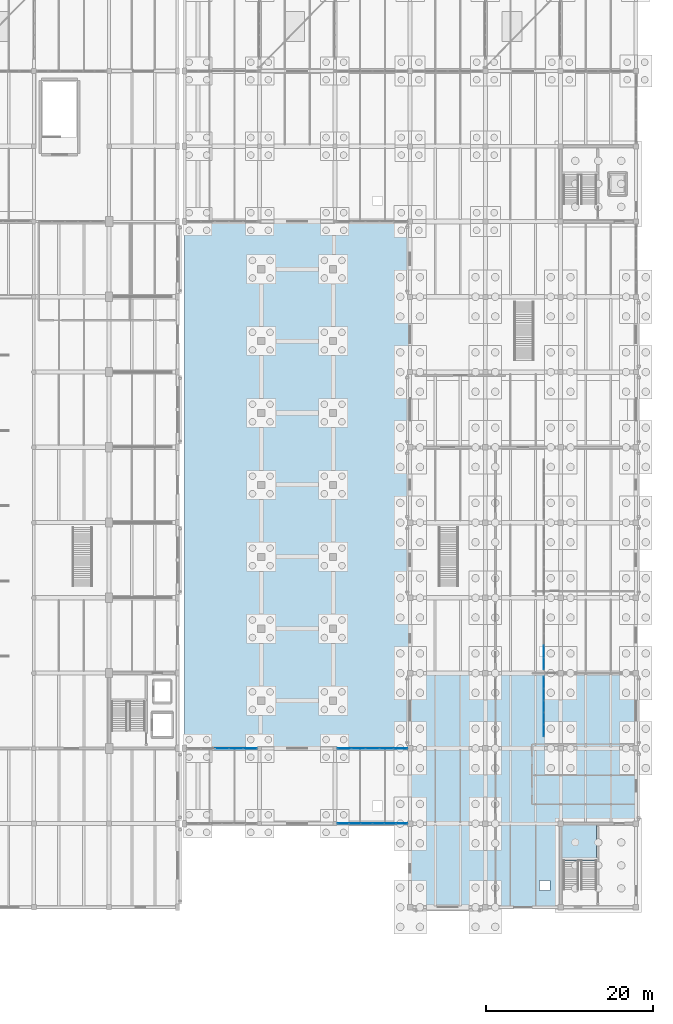
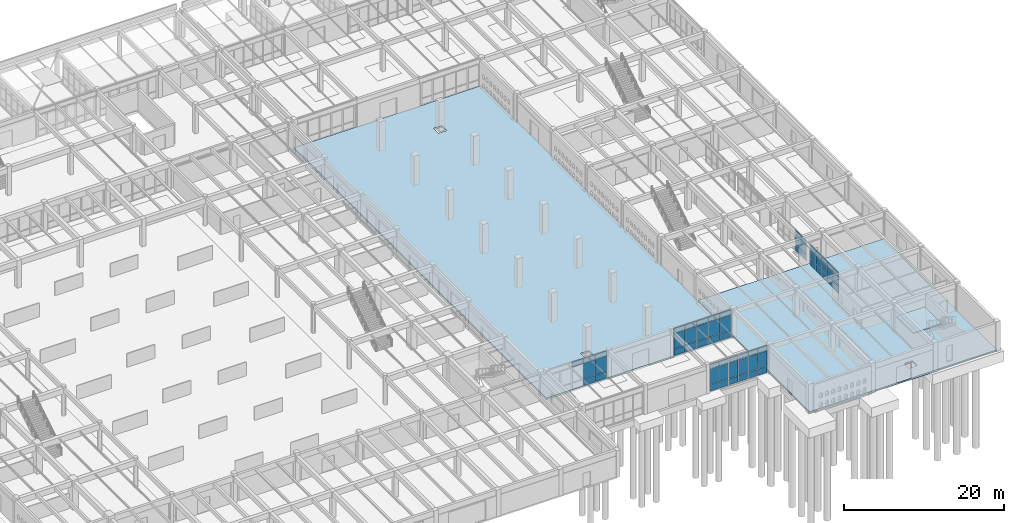
# One storey, part 151 of 186: 61 plates, 3 slabs, 6 elements without a shape of their own.
"""IFC4 building model written with IfcOpenShell, lengths in metres."""

from ifc_helpers import new_model, si_unit, direction, frame, origin, origin_2d, place, context, subcontext, project, spatial, polyline, rectangle, outline, extrude, material, layer, layer_set, type_object, element, aggregate, save


model = new_model("IFC4")

# Units and contexts
model_context = context("Model", 3, precision=1e-05, world=origin(), true_north=direction((0.0, 1.0)))
body_context = subcontext(model_context, "Body", "Model", "MODEL_VIEW")
ifc_project = project(units=[si_unit("LENGTHUNIT", "METRE"), si_unit("AREAUNIT", "SQUARE_METRE"), si_unit("VOLUMEUNIT", "CUBIC_METRE"), si_unit("PLANEANGLEUNIT", "RADIAN"), si_unit("MASSUNIT", "GRAM", prefix="KILO")], contexts=[model_context])

# Site, building, storey
site_placement = place(None, origin())
site = spatial("IfcSite", under=ifc_project, at=site_placement, CompositionType="ELEMENT")
building_placement = place(site_placement, origin())
building = spatial("IfcBuilding", under=site, at=building_placement, Name="Ornek Quay Market", CompositionType="ELEMENT")
storey_placement = place(building_placement, origin())
storey = spatial("IfcBuildingStorey", under=building, at=storey_placement, Name="L00", CompositionType="ELEMENT", Elevation=0.0)

# Curtain wall, plates
ifc_material_1 = material(Name="Anodised bronze aluminium and triple low-e glass", Category="aluminium")
ifc_layer_1 = layer(ifc_material_1, 0.139892578125, Name="Anodised bronze aluminium and triple low-e glass", Category="aluminium")
ifc_layer_set_1 = layer_set([ifc_layer_1], Name="Anodised bronze aluminium and triple low-e glass")
curtain_wall_type_1 = type_object("IfcCurtainWallType", Name="CW-GALLERY-INT", PredefinedType="USERDEFINED", material=ifc_layer_set_1)
curtain_wall_1_placement = place(storey_placement, origin())
curtain_wall_1 = element("IfcCurtainWall", 1, at=curtain_wall_1_placement, inside=storey, type_object=curtain_wall_type_1, Name="Curtain wall CW-159", ObjectType="CURTAIN WALL", PredefinedType="USERDEFINED")
ifc_material_2 = material(Name="Toughened laminated acoustic glass", Category="glass")
ifc_layer_2 = layer(ifc_material_2, 0.01611328125, Name="Toughened laminated acoustic glass", Category="glass")
ifc_layer_set_2 = layer_set([ifc_layer_2], Name="Toughened laminated acoustic glass")
plate_type_1 = type_object("IfcPlateType", Name="PL-CW-INT-16", PredefinedType="CURTAIN_PANEL", material=ifc_layer_set_2)
plate_1_placement = place(storey_placement, frame((169.0, 31.135009765625, 0.06005859375), z_axis=(0.0, 0.0, 1.0), x_axis=(0.0, 1.0, 0.0)))
plate_1 = element("IfcPlate", 2, at=plate_1_placement, type_object=plate_type_1, Name="CW-159 panel 1.1", PredefinedType="CURTAIN_PANEL", context=body_context, shape_type="SweptSolid", body=[
    extrude(rectangle(XDim=1.35009765625, YDim=0.01611328125, at=origin_2d()), origin(), (0.0, 0.0, 1.0), 0.9599609375),
])
plate_2_placement = place(storey_placement, frame((169.0, 31.135009765625, 1.080078125), z_axis=(0.0, 0.0, 1.0), x_axis=(0.0, 1.0, 0.0)))
plate_2 = element("IfcPlate", 3, at=plate_2_placement, type_object=plate_type_1, Name="CW-159 panel 1.2", PredefinedType="CURTAIN_PANEL", context=body_context, shape_type="SweptSolid", body=[
    extrude(rectangle(XDim=1.35009765625, YDim=0.01611328125, at=origin_2d()), origin(), (0.0, 0.0, 1.0), 1.340087890625),
])
plate_3_placement = place(storey_placement, frame((169.0, 31.135009765625, 2.47998046875), z_axis=(0.0, 0.0, 1.0), x_axis=(0.0, 1.0, 0.0)))
plate_3 = element("IfcPlate", 4, at=plate_3_placement, type_object=plate_type_1, Name="CW-159 panel 1.3", PredefinedType="CURTAIN_PANEL", context=body_context, shape_type="SweptSolid", body=[
    extrude(rectangle(XDim=1.35009765625, YDim=0.01611328125, at=origin_2d()), origin(), (0.0, 0.0, 1.0), 0.760009765625),
])
plate_4_placement = place(storey_placement, frame((169.0, 32.56005859375, 0.06005859375), z_axis=(0.0, 0.0, 1.0), x_axis=(0.0, 1.0, 0.0)))
plate_4 = element("IfcPlate", 5, at=plate_4_placement, type_object=plate_type_1, Name="CW-159 panel 2.1", PredefinedType="CURTAIN_PANEL", context=body_context, shape_type="SweptSolid", body=[
    extrude(rectangle(XDim=1.3798828125, YDim=0.01611328125, at=origin_2d()), origin(), (0.0, 0.0, 1.0), 0.9599609375),
])
plate_5_placement = place(storey_placement, frame((169.0, 32.56005859375, 1.080078125), z_axis=(0.0, 0.0, 1.0), x_axis=(0.0, 1.0, 0.0)))
plate_5 = element("IfcPlate", 6, at=plate_5_placement, type_object=plate_type_1, Name="CW-159 panel 2.2", PredefinedType="CURTAIN_PANEL", context=body_context, shape_type="SweptSolid", body=[
    extrude(rectangle(XDim=1.3798828125, YDim=0.01611328125, at=origin_2d()), origin(), (0.0, 0.0, 1.0), 1.340087890625),
])
plate_6_placement = place(storey_placement, frame((169.0, 32.56005859375, 2.47998046875), z_axis=(0.0, 0.0, 1.0), x_axis=(0.0, 1.0, 0.0)))
plate_6 = element("IfcPlate", 7, at=plate_6_placement, type_object=plate_type_1, Name="CW-159 panel 2.3", PredefinedType="CURTAIN_PANEL", context=body_context, shape_type="SweptSolid", body=[
    extrude(rectangle(XDim=1.3798828125, YDim=0.01611328125, at=origin_2d()), origin(), (0.0, 0.0, 1.0), 0.760009765625),
])
plate_7_placement = place(storey_placement, frame((169.0, 34.0, 0.06005859375), z_axis=(0.0, 0.0, 1.0), x_axis=(0.0, 1.0, 0.0)))
plate_7 = element("IfcPlate", 8, at=plate_7_placement, type_object=plate_type_1, Name="CW-159 panel 3.1", PredefinedType="CURTAIN_PANEL", context=body_context, shape_type="SweptSolid", body=[
    extrude(rectangle(XDim=1.3798828125, YDim=0.01611328125, at=origin_2d()), origin(), (0.0, 0.0, 1.0), 0.9599609375),
])
plate_8_placement = place(storey_placement, frame((169.0, 34.0, 1.080078125), z_axis=(0.0, 0.0, 1.0), x_axis=(0.0, 1.0, 0.0)))
plate_8 = element("IfcPlate", 9, at=plate_8_placement, type_object=plate_type_1, Name="CW-159 panel 3.2", PredefinedType="CURTAIN_PANEL", context=body_context, shape_type="SweptSolid", body=[
    extrude(rectangle(XDim=1.3798828125, YDim=0.01611328125, at=origin_2d()), origin(), (0.0, 0.0, 1.0), 1.340087890625),
])
plate_9_placement = place(storey_placement, frame((169.0, 34.0, 2.47998046875), z_axis=(0.0, 0.0, 1.0), x_axis=(0.0, 1.0, 0.0)))
plate_9 = element("IfcPlate", 10, at=plate_9_placement, type_object=plate_type_1, Name="CW-159 panel 3.3", PredefinedType="CURTAIN_PANEL", context=body_context, shape_type="SweptSolid", body=[
    extrude(rectangle(XDim=1.3798828125, YDim=0.01611328125, at=origin_2d()), origin(), (0.0, 0.0, 1.0), 0.760009765625),
])
plate_10_placement = place(storey_placement, frame((169.0, 35.43994140625, 0.06005859375), z_axis=(0.0, 0.0, 1.0), x_axis=(0.0, 1.0, 0.0)))
plate_10 = element("IfcPlate", 11, at=plate_10_placement, type_object=plate_type_1, Name="CW-159 panel 4.1", PredefinedType="CURTAIN_PANEL", context=body_context, shape_type="SweptSolid", body=[
    extrude(rectangle(XDim=1.3798828125, YDim=0.01611328125, at=origin_2d()), origin(), (0.0, 0.0, 1.0), 0.9599609375),
])
plate_11_placement = place(storey_placement, frame((169.0, 35.43994140625, 1.080078125), z_axis=(0.0, 0.0, 1.0), x_axis=(0.0, 1.0, 0.0)))
plate_11 = element("IfcPlate", 12, at=plate_11_placement, type_object=plate_type_1, Name="CW-159 panel 4.2", PredefinedType="CURTAIN_PANEL", context=body_context, shape_type="SweptSolid", body=[
    extrude(rectangle(XDim=1.3798828125, YDim=0.01611328125, at=origin_2d()), origin(), (0.0, 0.0, 1.0), 1.340087890625),
])
plate_12_placement = place(storey_placement, frame((169.0, 35.43994140625, 2.47998046875), z_axis=(0.0, 0.0, 1.0), x_axis=(0.0, 1.0, 0.0)))
plate_12 = element("IfcPlate", 13, at=plate_12_placement, type_object=plate_type_1, Name="CW-159 panel 4.3", PredefinedType="CURTAIN_PANEL", context=body_context, shape_type="SweptSolid", body=[
    extrude(rectangle(XDim=1.3798828125, YDim=0.01611328125, at=origin_2d()), origin(), (0.0, 0.0, 1.0), 0.760009765625),
])
plate_13_placement = place(storey_placement, frame((169.0, 36.864990234375, 0.06005859375), z_axis=(0.0, 0.0, 1.0), x_axis=(0.0, 1.0, 0.0)))
plate_13 = element("IfcPlate", 14, at=plate_13_placement, type_object=plate_type_1, Name="CW-159 panel 5.1", PredefinedType="CURTAIN_PANEL", context=body_context, shape_type="SweptSolid", body=[
    extrude(rectangle(XDim=1.35009765625, YDim=0.01611328125, at=origin_2d()), origin(), (0.0, 0.0, 1.0), 0.9599609375),
])
plate_14_placement = place(storey_placement, frame((169.0, 36.864990234375, 1.080078125), z_axis=(0.0, 0.0, 1.0), x_axis=(0.0, 1.0, 0.0)))
plate_14 = element("IfcPlate", 15, at=plate_14_placement, type_object=plate_type_1, Name="CW-159 panel 5.2", PredefinedType="CURTAIN_PANEL", context=body_context, shape_type="SweptSolid", body=[
    extrude(rectangle(XDim=1.35009765625, YDim=0.01611328125, at=origin_2d()), origin(), (0.0, 0.0, 1.0), 1.340087890625),
])
plate_15_placement = place(storey_placement, frame((169.0, 36.864990234375, 2.47998046875), z_axis=(0.0, 0.0, 1.0), x_axis=(0.0, 1.0, 0.0)))
plate_15 = element("IfcPlate", 16, at=plate_15_placement, type_object=plate_type_1, Name="CW-159 panel 5.3", PredefinedType="CURTAIN_PANEL", context=body_context, shape_type="SweptSolid", body=[
    extrude(rectangle(XDim=1.35009765625, YDim=0.01611328125, at=origin_2d()), origin(), (0.0, 0.0, 1.0), 0.760009765625),
])
aggregate(curtain_wall_1, [plate_1, plate_2, plate_3, plate_4, plate_5, plate_6, plate_7, plate_8, plate_9, plate_10, plate_11, plate_12, plate_13, plate_14, plate_15])

curtain_wall_2_placement = place(storey_placement, origin())
curtain_wall_2 = element("IfcCurtainWall", 17, at=curtain_wall_2_placement, inside=storey, type_object=curtain_wall_type_1, Name="Curtain wall CW-160", ObjectType="CURTAIN WALL", PredefinedType="USERDEFINED")
plate_16_placement = place(storey_placement, frame((169.0, 39.135009765625, 0.06005859375), z_axis=(0.0, 0.0, 1.0), x_axis=(0.0, 1.0, 0.0)))
plate_16 = element("IfcPlate", 18, at=plate_16_placement, type_object=plate_type_1, Name="CW-160 panel 1.1", PredefinedType="CURTAIN_PANEL", context=body_context, shape_type="SweptSolid", body=[
    extrude(rectangle(XDim=1.35009765625, YDim=0.01611328125, at=origin_2d()), origin(), (0.0, 0.0, 1.0), 0.9599609375),
])
plate_17_placement = place(storey_placement, frame((169.0, 39.135009765625, 1.080078125), z_axis=(0.0, 0.0, 1.0), x_axis=(0.0, 1.0, 0.0)))
plate_17 = element("IfcPlate", 19, at=plate_17_placement, type_object=plate_type_1, Name="CW-160 panel 1.2", PredefinedType="CURTAIN_PANEL", context=body_context, shape_type="SweptSolid", body=[
    extrude(rectangle(XDim=1.35009765625, YDim=0.01611328125, at=origin_2d()), origin(), (0.0, 0.0, 1.0), 1.340087890625),
])
plate_18_placement = place(storey_placement, frame((169.0, 39.135009765625, 2.47998046875), z_axis=(0.0, 0.0, 1.0), x_axis=(0.0, 1.0, 0.0)))
plate_18 = element("IfcPlate", 20, at=plate_18_placement, type_object=plate_type_1, Name="CW-160 panel 1.3", PredefinedType="CURTAIN_PANEL", context=body_context, shape_type="SweptSolid", body=[
    extrude(rectangle(XDim=1.35009765625, YDim=0.01611328125, at=origin_2d()), origin(), (0.0, 0.0, 1.0), 0.760009765625),
])
plate_19_placement = place(storey_placement, frame((169.0, 40.56005859375, 0.06005859375), z_axis=(0.0, 0.0, 1.0), x_axis=(0.0, 1.0, 0.0)))
plate_19 = element("IfcPlate", 21, at=plate_19_placement, type_object=plate_type_1, Name="CW-160 panel 2.1", PredefinedType="CURTAIN_PANEL", context=body_context, shape_type="SweptSolid", body=[
    extrude(rectangle(XDim=1.3798828125, YDim=0.01611328125, at=origin_2d()), origin(), (0.0, 0.0, 1.0), 0.9599609375),
])
plate_20_placement = place(storey_placement, frame((169.0, 40.56005859375, 1.080078125), z_axis=(0.0, 0.0, 1.0), x_axis=(0.0, 1.0, 0.0)))
plate_20 = element("IfcPlate", 22, at=plate_20_placement, type_object=plate_type_1, Name="CW-160 panel 2.2", PredefinedType="CURTAIN_PANEL", context=body_context, shape_type="SweptSolid", body=[
    extrude(rectangle(XDim=1.3798828125, YDim=0.01611328125, at=origin_2d()), origin(), (0.0, 0.0, 1.0), 1.340087890625),
])
plate_21_placement = place(storey_placement, frame((169.0, 40.56005859375, 2.47998046875), z_axis=(0.0, 0.0, 1.0), x_axis=(0.0, 1.0, 0.0)))
plate_21 = element("IfcPlate", 23, at=plate_21_placement, type_object=plate_type_1, Name="CW-160 panel 2.3", PredefinedType="CURTAIN_PANEL", context=body_context, shape_type="SweptSolid", body=[
    extrude(rectangle(XDim=1.3798828125, YDim=0.01611328125, at=origin_2d()), origin(), (0.0, 0.0, 1.0), 0.760009765625),
])
aggregate(curtain_wall_2, [plate_16, plate_17, plate_18, plate_19, plate_20, plate_21])

ifc_layer_3 = layer(ifc_material_1, 0.179931640625, Name="Anodised bronze aluminium and triple low-e glass", Category="aluminium")
ifc_layer_set_3 = layer_set([ifc_layer_3], Name="Anodised bronze aluminium and triple low-e glass")
curtain_wall_type_2 = type_object("IfcCurtainWallType", Name="CW-CONC-MOD1500", PredefinedType="USERDEFINED", material=ifc_layer_set_3)
curtain_wall_3_placement = place(storey_placement, origin())
curtain_wall_3 = element("IfcCurtainWall", 24, at=curtain_wall_3_placement, inside=storey, type_object=curtain_wall_type_2, Name="Curtain wall CW-032", ObjectType="CURTAIN WALL", PredefinedType="USERDEFINED")
ifc_material_3 = material(Name="Triple insulated low-e glass", Category="glass")
ifc_layer_4 = layer(ifc_material_3, 0.035888671875, Name="Triple insulated low-e glass", Category="glass")
ifc_layer_set_4 = layer_set([ifc_layer_4], Name="Triple insulated low-e glass")
plate_type_2 = type_object("IfcPlateType", Name="PL-CW-TRIPLE-36", PredefinedType="CURTAIN_PANEL", material=ifc_layer_set_4)
plate_22_placement = place(storey_placement, frame((145.014892578125, 20.0, 0.06005859375), z_axis=(0.0, 0.0, 1.0), x_axis=(1.0, 0.0, 0.0)))
plate_22 = element("IfcPlate", 25, at=plate_22_placement, type_object=plate_type_2, Name="CW-032 panel 1.1", PredefinedType="CURTAIN_PANEL", context=body_context, shape_type="SweptSolid", body=[
    extrude(rectangle(XDim=1.31005859375, YDim=0.035888671875, at=origin_2d()), origin(), (0.0, 0.0, 1.0), 0.9599609375),
])
plate_23_placement = place(storey_placement, frame((145.014892578125, 20.0, 1.080078125), z_axis=(0.0, 0.0, 1.0), x_axis=(1.0, 0.0, 0.0)))
plate_23 = element("IfcPlate", 26, at=plate_23_placement, type_object=plate_type_2, Name="CW-032 panel 1.2", PredefinedType="CURTAIN_PANEL", context=body_context, shape_type="SweptSolid", body=[
    extrude(rectangle(XDim=1.31005859375, YDim=0.035888671875, at=origin_2d()), origin(), (0.0, 0.0, 1.0), 2.31005859375),
])
plate_24_placement = place(storey_placement, frame((145.014892578125, 20.0, 3.4501953125), z_axis=(0.0, 0.0, 1.0), x_axis=(1.0, 0.0, 0.0)))
plate_24 = element("IfcPlate", 27, at=plate_24_placement, type_object=plate_type_2, Name="CW-032 panel 1.3", PredefinedType="CURTAIN_PANEL", context=body_context, shape_type="SweptSolid", body=[
    extrude(rectangle(XDim=1.31005859375, YDim=0.035888671875, at=origin_2d()), origin(), (0.0, 0.0, 1.0), 0.760009765625),
])
plate_25_placement = place(storey_placement, frame((146.39990234375, 20.0, 0.06005859375), z_axis=(0.0, 0.0, 1.0), x_axis=(1.0, 0.0, 0.0)))
plate_25 = element("IfcPlate", 28, at=plate_25_placement, type_object=plate_type_2, Name="CW-032 panel 2.1", PredefinedType="CURTAIN_PANEL", context=body_context, shape_type="SweptSolid", body=[
    extrude(rectangle(XDim=1.340087890625, YDim=0.035888671875, at=origin_2d()), origin(), (0.0, 0.0, 1.0), 0.9599609375),
])
plate_26_placement = place(storey_placement, frame((146.39990234375, 20.0, 1.080078125), z_axis=(0.0, 0.0, 1.0), x_axis=(1.0, 0.0, 0.0)))
plate_26 = element("IfcPlate", 29, at=plate_26_placement, type_object=plate_type_2, Name="CW-032 panel 2.2", PredefinedType="CURTAIN_PANEL", context=body_context, shape_type="SweptSolid", body=[
    extrude(rectangle(XDim=1.340087890625, YDim=0.035888671875, at=origin_2d()), origin(), (0.0, 0.0, 1.0), 2.31005859375),
])
plate_27_placement = place(storey_placement, frame((146.39990234375, 20.0, 3.4501953125), z_axis=(0.0, 0.0, 1.0), x_axis=(1.0, 0.0, 0.0)))
plate_27 = element("IfcPlate", 30, at=plate_27_placement, type_object=plate_type_2, Name="CW-032 panel 2.3", PredefinedType="CURTAIN_PANEL", context=body_context, shape_type="SweptSolid", body=[
    extrude(rectangle(XDim=1.340087890625, YDim=0.035888671875, at=origin_2d()), origin(), (0.0, 0.0, 1.0), 0.760009765625),
])
plate_28_placement = place(storey_placement, frame((147.800048828125, 20.0, 0.06005859375), z_axis=(0.0, 0.0, 1.0), x_axis=(1.0, 0.0, 0.0)))
plate_28 = element("IfcPlate", 31, at=plate_28_placement, type_object=plate_type_2, Name="CW-032 panel 3.1", PredefinedType="CURTAIN_PANEL", context=body_context, shape_type="SweptSolid", body=[
    extrude(rectangle(XDim=1.340087890625, YDim=0.035888671875, at=origin_2d()), origin(), (0.0, 0.0, 1.0), 0.9599609375),
])
plate_29_placement = place(storey_placement, frame((147.800048828125, 20.0, 1.080078125), z_axis=(0.0, 0.0, 1.0), x_axis=(1.0, 0.0, 0.0)))
plate_29 = element("IfcPlate", 32, at=plate_29_placement, type_object=plate_type_2, Name="CW-032 panel 3.2", PredefinedType="CURTAIN_PANEL", context=body_context, shape_type="SweptSolid", body=[
    extrude(rectangle(XDim=1.340087890625, YDim=0.035888671875, at=origin_2d()), origin(), (0.0, 0.0, 1.0), 2.31005859375),
])
plate_30_placement = place(storey_placement, frame((147.800048828125, 20.0, 3.4501953125), z_axis=(0.0, 0.0, 1.0), x_axis=(1.0, 0.0, 0.0)))
plate_30 = element("IfcPlate", 33, at=plate_30_placement, type_object=plate_type_2, Name="CW-032 panel 3.3", PredefinedType="CURTAIN_PANEL", context=body_context, shape_type="SweptSolid", body=[
    extrude(rectangle(XDim=1.340087890625, YDim=0.035888671875, at=origin_2d()), origin(), (0.0, 0.0, 1.0), 0.760009765625),
])
plate_31_placement = place(storey_placement, frame((149.199951171875, 20.0, 0.06005859375), z_axis=(0.0, 0.0, 1.0), x_axis=(1.0, 0.0, 0.0)))
plate_31 = element("IfcPlate", 34, at=plate_31_placement, type_object=plate_type_2, Name="CW-032 panel 4.1", PredefinedType="CURTAIN_PANEL", context=body_context, shape_type="SweptSolid", body=[
    extrude(rectangle(XDim=1.340087890625, YDim=0.035888671875, at=origin_2d()), origin(), (0.0, 0.0, 1.0), 0.9599609375),
])
plate_32_placement = place(storey_placement, frame((149.199951171875, 20.0, 1.080078125), z_axis=(0.0, 0.0, 1.0), x_axis=(1.0, 0.0, 0.0)))
plate_32 = element("IfcPlate", 35, at=plate_32_placement, type_object=plate_type_2, Name="CW-032 panel 4.2", PredefinedType="CURTAIN_PANEL", context=body_context, shape_type="SweptSolid", body=[
    extrude(rectangle(XDim=1.340087890625, YDim=0.035888671875, at=origin_2d()), origin(), (0.0, 0.0, 1.0), 2.31005859375),
])
plate_33_placement = place(storey_placement, frame((149.199951171875, 20.0, 3.4501953125), z_axis=(0.0, 0.0, 1.0), x_axis=(1.0, 0.0, 0.0)))
plate_33 = element("IfcPlate", 36, at=plate_33_placement, type_object=plate_type_2, Name="CW-032 panel 4.3", PredefinedType="CURTAIN_PANEL", context=body_context, shape_type="SweptSolid", body=[
    extrude(rectangle(XDim=1.340087890625, YDim=0.035888671875, at=origin_2d()), origin(), (0.0, 0.0, 1.0), 0.760009765625),
])
plate_34_placement = place(storey_placement, frame((150.60009765625, 20.0, 0.06005859375), z_axis=(0.0, 0.0, 1.0), x_axis=(1.0, 0.0, 0.0)))
plate_34 = element("IfcPlate", 37, at=plate_34_placement, type_object=plate_type_2, Name="CW-032 panel 5.1", PredefinedType="CURTAIN_PANEL", context=body_context, shape_type="SweptSolid", body=[
    extrude(rectangle(XDim=1.340087890625, YDim=0.035888671875, at=origin_2d()), origin(), (0.0, 0.0, 1.0), 0.9599609375),
])
plate_35_placement = place(storey_placement, frame((150.60009765625, 20.0, 1.080078125), z_axis=(0.0, 0.0, 1.0), x_axis=(1.0, 0.0, 0.0)))
plate_35 = element("IfcPlate", 38, at=plate_35_placement, type_object=plate_type_2, Name="CW-032 panel 5.2", PredefinedType="CURTAIN_PANEL", context=body_context, shape_type="SweptSolid", body=[
    extrude(rectangle(XDim=1.340087890625, YDim=0.035888671875, at=origin_2d()), origin(), (0.0, 0.0, 1.0), 2.31005859375),
])
plate_36_placement = place(storey_placement, frame((150.60009765625, 20.0, 3.4501953125), z_axis=(0.0, 0.0, 1.0), x_axis=(1.0, 0.0, 0.0)))
plate_36 = element("IfcPlate", 39, at=plate_36_placement, type_object=plate_type_2, Name="CW-032 panel 5.3", PredefinedType="CURTAIN_PANEL", context=body_context, shape_type="SweptSolid", body=[
    extrude(rectangle(XDim=1.340087890625, YDim=0.035888671875, at=origin_2d()), origin(), (0.0, 0.0, 1.0), 0.760009765625),
])
plate_37_placement = place(storey_placement, frame((151.985107421875, 20.0, 0.06005859375), z_axis=(0.0, 0.0, 1.0), x_axis=(1.0, 0.0, 0.0)))
plate_37 = element("IfcPlate", 40, at=plate_37_placement, type_object=plate_type_2, Name="CW-032 panel 6.1", PredefinedType="CURTAIN_PANEL", context=body_context, shape_type="SweptSolid", body=[
    extrude(rectangle(XDim=1.31005859375, YDim=0.035888671875, at=origin_2d()), origin(), (0.0, 0.0, 1.0), 0.9599609375),
])
plate_38_placement = place(storey_placement, frame((151.985107421875, 20.0, 1.080078125), z_axis=(0.0, 0.0, 1.0), x_axis=(1.0, 0.0, 0.0)))
plate_38 = element("IfcPlate", 41, at=plate_38_placement, type_object=plate_type_2, Name="CW-032 panel 6.2", PredefinedType="CURTAIN_PANEL", context=body_context, shape_type="SweptSolid", body=[
    extrude(rectangle(XDim=1.31005859375, YDim=0.035888671875, at=origin_2d()), origin(), (0.0, 0.0, 1.0), 2.31005859375),
])
plate_39_placement = place(storey_placement, frame((151.985107421875, 20.0, 3.4501953125), z_axis=(0.0, 0.0, 1.0), x_axis=(1.0, 0.0, 0.0)))
plate_39 = element("IfcPlate", 42, at=plate_39_placement, type_object=plate_type_2, Name="CW-032 panel 6.3", PredefinedType="CURTAIN_PANEL", context=body_context, shape_type="SweptSolid", body=[
    extrude(rectangle(XDim=1.31005859375, YDim=0.035888671875, at=origin_2d()), origin(), (0.0, 0.0, 1.0), 0.760009765625),
])
aggregate(curtain_wall_3, [plate_22, plate_23, plate_24, plate_25, plate_26, plate_27, plate_28, plate_29, plate_30, plate_31, plate_32, plate_33, plate_34, plate_35, plate_36, plate_37, plate_38, plate_39])

ifc_layer_5 = layer(ifc_material_1, 0.199951171875, Name="Anodised bronze aluminium and triple low-e glass", Category="aluminium")
ifc_layer_set_5 = layer_set([ifc_layer_5], Name="Anodised bronze aluminium and triple low-e glass")
curtain_wall_type_3 = type_object("IfcCurtainWallType", Name="CW-CONC-MOD1800", PredefinedType="USERDEFINED", material=ifc_layer_set_5)
curtain_wall_4_placement = place(storey_placement, origin())
curtain_wall_4 = element("IfcCurtainWall", 43, at=curtain_wall_4_placement, inside=storey, type_object=curtain_wall_type_3, Name="Curtain wall CW-027", ObjectType="CURTAIN WALL", PredefinedType="USERDEFINED")
ifc_layer_6 = layer(ifc_material_3, 0.0419921875, Name="Triple insulated low-e glass", Category="glass")
ifc_layer_set_6 = layer_set([ifc_layer_6], Name="Triple insulated low-e glass")
plate_type_3 = type_object("IfcPlateType", Name="PL-CW-TRIPLE-42", PredefinedType="CURTAIN_PANEL", material=ifc_layer_set_6)
plate_40_placement = place(storey_placement, frame((130.5, 29.0, 3.45263671875), z_axis=(0.0, 0.0, 1.0), x_axis=(1.0, 0.0, 0.0)))
plate_40 = element("IfcPlate", 44, at=plate_40_placement, type_object=plate_type_3, Name="CW-027 panel 3.3", PredefinedType="CURTAIN_PANEL", context=body_context, shape_type="SweptSolid", body=[
    extrude(rectangle(XDim=1.614990234375, YDim=0.0419921875, at=origin_2d()), origin(), (0.0, 0.0, 1.0), 0.75244140625),
])
plate_41_placement = place(storey_placement, frame((132.179931640625, 29.0, 0.06494140625), z_axis=(0.0, 0.0, 1.0), x_axis=(1.0, 0.0, 0.0)))
plate_41 = element("IfcPlate", 45, at=plate_41_placement, type_object=plate_type_3, Name="CW-027 panel 4.1", PredefinedType="CURTAIN_PANEL", context=body_context, shape_type="SweptSolid", body=[
    extrude(rectangle(XDim=1.614990234375, YDim=0.0419921875, at=origin_2d()), origin(), (0.0, 0.0, 1.0), 0.952392578125),
])
plate_42_placement = place(storey_placement, frame((132.179931640625, 29.0, 1.08251953125), z_axis=(0.0, 0.0, 1.0), x_axis=(1.0, 0.0, 0.0)))
plate_42 = element("IfcPlate", 46, at=plate_42_placement, type_object=plate_type_3, Name="CW-027 panel 4.2", PredefinedType="CURTAIN_PANEL", context=body_context, shape_type="SweptSolid", body=[
    extrude(rectangle(XDim=1.614990234375, YDim=0.0419921875, at=origin_2d()), origin(), (0.0, 0.0, 1.0), 2.304931640625),
])
plate_43_placement = place(storey_placement, frame((132.179931640625, 29.0, 3.45263671875), z_axis=(0.0, 0.0, 1.0), x_axis=(1.0, 0.0, 0.0)))
plate_43 = element("IfcPlate", 47, at=plate_43_placement, type_object=plate_type_3, Name="CW-027 panel 4.3", PredefinedType="CURTAIN_PANEL", context=body_context, shape_type="SweptSolid", body=[
    extrude(rectangle(XDim=1.614990234375, YDim=0.0419921875, at=origin_2d()), origin(), (0.0, 0.0, 1.0), 0.75244140625),
])
plate_44_placement = place(storey_placement, frame((133.84375, 29.0, 0.06494140625), z_axis=(0.0, 0.0, 1.0), x_axis=(1.0, 0.0, 0.0)))
plate_44 = element("IfcPlate", 48, at=plate_44_placement, type_object=plate_type_3, Name="CW-027 panel 5.1", PredefinedType="CURTAIN_PANEL", context=body_context, shape_type="SweptSolid", body=[
    extrude(rectangle(XDim=1.58251953125, YDim=0.0419921875, at=origin_2d()), origin(), (0.0, 0.0, 1.0), 0.952392578125),
])
plate_45_placement = place(storey_placement, frame((133.84375, 29.0, 1.08251953125), z_axis=(0.0, 0.0, 1.0), x_axis=(1.0, 0.0, 0.0)))
plate_45 = element("IfcPlate", 49, at=plate_45_placement, type_object=plate_type_3, Name="CW-027 panel 5.2", PredefinedType="CURTAIN_PANEL", context=body_context, shape_type="SweptSolid", body=[
    extrude(rectangle(XDim=1.58251953125, YDim=0.0419921875, at=origin_2d()), origin(), (0.0, 0.0, 1.0), 2.304931640625),
])
plate_46_placement = place(storey_placement, frame((133.84375, 29.0, 3.45263671875), z_axis=(0.0, 0.0, 1.0), x_axis=(1.0, 0.0, 0.0)))
plate_46 = element("IfcPlate", 50, at=plate_46_placement, type_object=plate_type_3, Name="CW-027 panel 5.3", PredefinedType="CURTAIN_PANEL", context=body_context, shape_type="SweptSolid", body=[
    extrude(rectangle(XDim=1.58251953125, YDim=0.0419921875, at=origin_2d()), origin(), (0.0, 0.0, 1.0), 0.75244140625),
])
aggregate(curtain_wall_4, [plate_40, plate_41, plate_42, plate_43, plate_44, plate_45, plate_46])

curtain_wall_5_placement = place(storey_placement, origin())
curtain_wall_5 = element("IfcCurtainWall", 51, at=curtain_wall_5_placement, inside=storey, type_object=curtain_wall_type_3, Name="Curtain wall CW-031", ObjectType="CURTAIN WALL", PredefinedType="USERDEFINED")
plate_47_placement = place(storey_placement, frame((145.15625, 29.0, 0.06494140625), z_axis=(0.0, 0.0, 1.0), x_axis=(1.0, 0.0, 0.0)))
plate_47 = element("IfcPlate", 52, at=plate_47_placement, type_object=plate_type_3, Name="CW-031 panel 1.1", PredefinedType="CURTAIN_PANEL", context=body_context, shape_type="SweptSolid", body=[
    extrude(rectangle(XDim=1.58251953125, YDim=0.0419921875, at=origin_2d()), origin(), (0.0, 0.0, 1.0), 0.952392578125),
])
plate_48_placement = place(storey_placement, frame((145.15625, 29.0, 1.08251953125), z_axis=(0.0, 0.0, 1.0), x_axis=(1.0, 0.0, 0.0)))
plate_48 = element("IfcPlate", 53, at=plate_48_placement, type_object=plate_type_3, Name="CW-031 panel 1.2", PredefinedType="CURTAIN_PANEL", context=body_context, shape_type="SweptSolid", body=[
    extrude(rectangle(XDim=1.58251953125, YDim=0.0419921875, at=origin_2d()), origin(), (0.0, 0.0, 1.0), 2.304931640625),
])
plate_49_placement = place(storey_placement, frame((145.15625, 29.0, 3.45263671875), z_axis=(0.0, 0.0, 1.0), x_axis=(1.0, 0.0, 0.0)))
plate_49 = element("IfcPlate", 54, at=plate_49_placement, type_object=plate_type_3, Name="CW-031 panel 1.3", PredefinedType="CURTAIN_PANEL", context=body_context, shape_type="SweptSolid", body=[
    extrude(rectangle(XDim=1.58251953125, YDim=0.0419921875, at=origin_2d()), origin(), (0.0, 0.0, 1.0), 0.75244140625),
])
plate_50_placement = place(storey_placement, frame((146.820068359375, 29.0, 0.06494140625), z_axis=(0.0, 0.0, 1.0), x_axis=(1.0, 0.0, 0.0)))
plate_50 = element("IfcPlate", 55, at=plate_50_placement, type_object=plate_type_3, Name="CW-031 panel 2.1", PredefinedType="CURTAIN_PANEL", context=body_context, shape_type="SweptSolid", body=[
    extrude(rectangle(XDim=1.614990234375, YDim=0.0419921875, at=origin_2d()), origin(), (0.0, 0.0, 1.0), 0.952392578125),
])
plate_51_placement = place(storey_placement, frame((146.820068359375, 29.0, 1.08251953125), z_axis=(0.0, 0.0, 1.0), x_axis=(1.0, 0.0, 0.0)))
plate_51 = element("IfcPlate", 56, at=plate_51_placement, type_object=plate_type_3, Name="CW-031 panel 2.2", PredefinedType="CURTAIN_PANEL", context=body_context, shape_type="SweptSolid", body=[
    extrude(rectangle(XDim=1.614990234375, YDim=0.0419921875, at=origin_2d()), origin(), (0.0, 0.0, 1.0), 2.304931640625),
])
plate_52_placement = place(storey_placement, frame((146.820068359375, 29.0, 3.45263671875), z_axis=(0.0, 0.0, 1.0), x_axis=(1.0, 0.0, 0.0)))
plate_52 = element("IfcPlate", 57, at=plate_52_placement, type_object=plate_type_3, Name="CW-031 panel 2.3", PredefinedType="CURTAIN_PANEL", context=body_context, shape_type="SweptSolid", body=[
    extrude(rectangle(XDim=1.614990234375, YDim=0.0419921875, at=origin_2d()), origin(), (0.0, 0.0, 1.0), 0.75244140625),
])
plate_53_placement = place(storey_placement, frame((148.5, 29.0, 0.06494140625), z_axis=(0.0, 0.0, 1.0), x_axis=(1.0, 0.0, 0.0)))
plate_53 = element("IfcPlate", 58, at=plate_53_placement, type_object=plate_type_3, Name="CW-031 panel 3.1", PredefinedType="CURTAIN_PANEL", context=body_context, shape_type="SweptSolid", body=[
    extrude(rectangle(XDim=1.614990234375, YDim=0.0419921875, at=origin_2d()), origin(), (0.0, 0.0, 1.0), 0.952392578125),
])
plate_54_placement = place(storey_placement, frame((148.5, 29.0, 1.08251953125), z_axis=(0.0, 0.0, 1.0), x_axis=(1.0, 0.0, 0.0)))
plate_54 = element("IfcPlate", 59, at=plate_54_placement, type_object=plate_type_3, Name="CW-031 panel 3.2", PredefinedType="CURTAIN_PANEL", context=body_context, shape_type="SweptSolid", body=[
    extrude(rectangle(XDim=1.614990234375, YDim=0.0419921875, at=origin_2d()), origin(), (0.0, 0.0, 1.0), 2.304931640625),
])
plate_55_placement = place(storey_placement, frame((148.5, 29.0, 3.45263671875), z_axis=(0.0, 0.0, 1.0), x_axis=(1.0, 0.0, 0.0)))
plate_55 = element("IfcPlate", 60, at=plate_55_placement, type_object=plate_type_3, Name="CW-031 panel 3.3", PredefinedType="CURTAIN_PANEL", context=body_context, shape_type="SweptSolid", body=[
    extrude(rectangle(XDim=1.614990234375, YDim=0.0419921875, at=origin_2d()), origin(), (0.0, 0.0, 1.0), 0.75244140625),
])
plate_56_placement = place(storey_placement, frame((150.179931640625, 29.0, 0.06494140625), z_axis=(0.0, 0.0, 1.0), x_axis=(1.0, 0.0, 0.0)))
plate_56 = element("IfcPlate", 61, at=plate_56_placement, type_object=plate_type_3, Name="CW-031 panel 4.1", PredefinedType="CURTAIN_PANEL", context=body_context, shape_type="SweptSolid", body=[
    extrude(rectangle(XDim=1.614990234375, YDim=0.0419921875, at=origin_2d()), origin(), (0.0, 0.0, 1.0), 0.952392578125),
])
plate_57_placement = place(storey_placement, frame((150.179931640625, 29.0, 1.08251953125), z_axis=(0.0, 0.0, 1.0), x_axis=(1.0, 0.0, 0.0)))
plate_57 = element("IfcPlate", 62, at=plate_57_placement, type_object=plate_type_3, Name="CW-031 panel 4.2", PredefinedType="CURTAIN_PANEL", context=body_context, shape_type="SweptSolid", body=[
    extrude(rectangle(XDim=1.614990234375, YDim=0.0419921875, at=origin_2d()), origin(), (0.0, 0.0, 1.0), 2.304931640625),
])
plate_58_placement = place(storey_placement, frame((150.179931640625, 29.0, 3.45263671875), z_axis=(0.0, 0.0, 1.0), x_axis=(1.0, 0.0, 0.0)))
plate_58 = element("IfcPlate", 63, at=plate_58_placement, type_object=plate_type_3, Name="CW-031 panel 4.3", PredefinedType="CURTAIN_PANEL", context=body_context, shape_type="SweptSolid", body=[
    extrude(rectangle(XDim=1.614990234375, YDim=0.0419921875, at=origin_2d()), origin(), (0.0, 0.0, 1.0), 0.75244140625),
])
plate_59_placement = place(storey_placement, frame((151.84375, 29.0, 0.06494140625), z_axis=(0.0, 0.0, 1.0), x_axis=(1.0, 0.0, 0.0)))
plate_59 = element("IfcPlate", 64, at=plate_59_placement, type_object=plate_type_3, Name="CW-031 panel 5.1", PredefinedType="CURTAIN_PANEL", context=body_context, shape_type="SweptSolid", body=[
    extrude(rectangle(XDim=1.58251953125, YDim=0.0419921875, at=origin_2d()), origin(), (0.0, 0.0, 1.0), 0.952392578125),
])
plate_60_placement = place(storey_placement, frame((151.84375, 29.0, 1.08251953125), z_axis=(0.0, 0.0, 1.0), x_axis=(1.0, 0.0, 0.0)))
plate_60 = element("IfcPlate", 65, at=plate_60_placement, type_object=plate_type_3, Name="CW-031 panel 5.2", PredefinedType="CURTAIN_PANEL", context=body_context, shape_type="SweptSolid", body=[
    extrude(rectangle(XDim=1.58251953125, YDim=0.0419921875, at=origin_2d()), origin(), (0.0, 0.0, 1.0), 2.304931640625),
])
plate_61_placement = place(storey_placement, frame((151.84375, 29.0, 3.45263671875), z_axis=(0.0, 0.0, 1.0), x_axis=(1.0, 0.0, 0.0)))
plate_61 = element("IfcPlate", 66, at=plate_61_placement, type_object=plate_type_3, Name="CW-031 panel 5.3", PredefinedType="CURTAIN_PANEL", context=body_context, shape_type="SweptSolid", body=[
    extrude(rectangle(XDim=1.58251953125, YDim=0.0419921875, at=origin_2d()), origin(), (0.0, 0.0, 1.0), 0.75244140625),
])
aggregate(curtain_wall_5, [plate_47, plate_48, plate_49, plate_50, plate_51, plate_52, plate_53, plate_54, plate_55, plate_56, plate_57, plate_58, plate_59, plate_60, plate_61])

# Slabs
ifc_material_4 = material(Name="Concrete C40/50", Category="concrete")
ifc_layer_7 = layer(ifc_material_4, 0.260009765625, Name="Concrete C40/50", Category="concrete")
ifc_layer_set_7 = layer_set([ifc_layer_7], Name="Concrete C40/50")
slab_type_1 = type_object("IfcSlabType", Name="SL-EXT-COURT-210", PredefinedType="FLOOR", material=ifc_layer_set_7)
slab_1_placement = place(storey_placement, frame((0.0, 0.0, -0.260009765625)))
element("IfcSlab", 67, at=slab_1_placement, inside=storey, type_object=slab_type_1, Name="Slab S-016 (L00)", PredefinedType="FLOOR", context=body_context, shape_type="SweptSolid", body=[
    extrude(outline(polyline([(126.0, 29.0), (153.0, 29.0), (153.0, 92.0), (126.0, 92.0), (126.0, 29.0)]), holes=[polyline([(135.800048828125, 35.300048828125), (135.800048828125, 34.10009765625), (134.60009765625, 34.10009765625), (134.60009765625, 35.300048828125), (135.800048828125, 35.300048828125)]), polyline([(144.39990234375, 86.89990234375), (144.39990234375, 85.699951171875), (143.199951171875, 85.699951171875), (143.199951171875, 86.89990234375), (144.39990234375, 86.89990234375)])]), origin(), (0.0, 0.0, 1.0), 0.260009765625),
])
ifc_material_5 = material(Name="Concrete C35/45", Category="concrete")
ifc_layer_8 = layer(ifc_material_5, 0.25, Name="Concrete C35/45", Category="concrete")
ifc_layer_set_8 = layer_set([ifc_layer_8], Name="Concrete C35/45")
slab_type_2 = type_object("IfcSlabType", Name="SL-FLR-CS-250", PredefinedType="FLOOR", material=ifc_layer_set_8)
slab_2_placement = place(storey_placement, frame((0.0, 0.0, -0.25)))
element("IfcSlab", 68, at=slab_2_placement, inside=storey, type_object=slab_type_2, Name="Slab S-020 (L00)", PredefinedType="FLOOR", context=body_context, shape_type="SweptSolid", body=[
    extrude(outline(polyline([(153.0, 10.0), (180.0, 10.0), (180.0, 38.0), (153.0, 38.0), (153.0, 10.0)]), holes=[polyline([(168.5, 13.199951171875), (169.699951171875, 13.199951171875), (169.699951171875, 12.0), (168.5, 12.0), (168.5, 13.199951171875)])]), origin(), (0.0, 0.0, 1.0), 0.25),
])

# Stair, slab
ifc_material_6 = material(Name="Precast concrete C40/50", Category="concrete")
stair_type = type_object("IfcStairType", Name="ST-CORE-L00-L01", PredefinedType="HALF_TURN_STAIR", material=ifc_material_6)
stair_placement = place(storey_placement, origin())
stair = element("IfcStair", 69, at=stair_placement, inside=storey, type_object=stair_type, Name="Core stair ST-06-L00 (L00 to L01)", PredefinedType="HALF_TURN_STAIR")
ifc_layer_9 = layer(ifc_material_6, 0.1650390625, Name="Precast concrete C40/50", Category="concrete")
ifc_layer_set_9 = layer_set([ifc_layer_9], Name="Precast concrete C40/50")
slab_type_3 = type_object("IfcSlabType", Name="SL-LND-165", PredefinedType="LANDING", material=ifc_layer_set_9)
slab_3_placement = place(storey_placement, frame((0.0, 0.0, 2.0849609375)))
slab_3 = element("IfcSlab", 70, at=slab_3_placement, type_object=slab_type_3, Name="ST-06-L00 landing 1", PredefinedType="LANDING", context=body_context, shape_type="SweptSolid", body=[
    extrude(outline(polyline([(171.159912109375, 15.592041015625), (175.300048828125, 15.592041015625), (175.300048828125, 19.840087890625), (171.159912109375, 19.840087890625), (171.159912109375, 15.592041015625)])), origin(), (0.0, 0.0, 1.0), 0.1650390625),
])
aggregate(stair, [slab_3])

save(model, "model.ifc")
